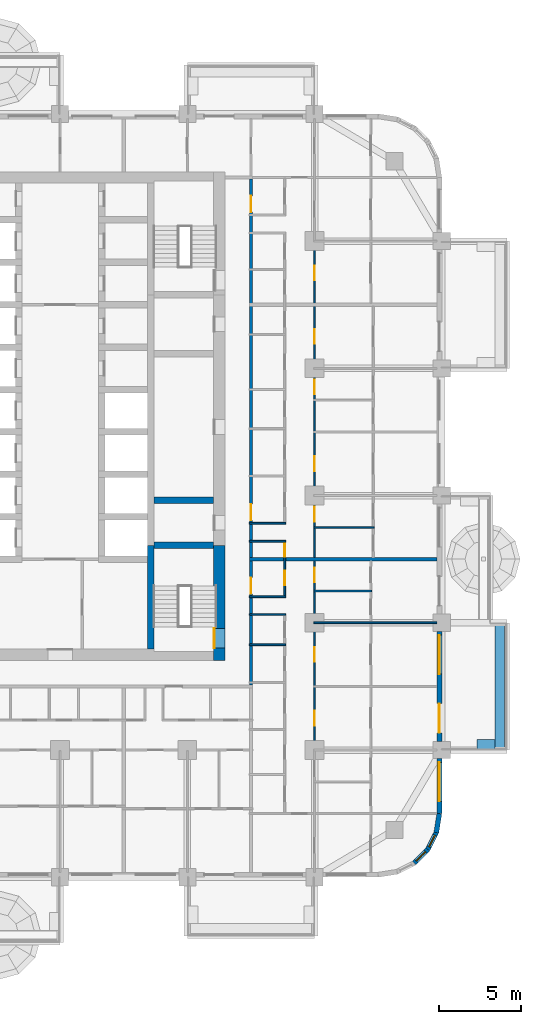
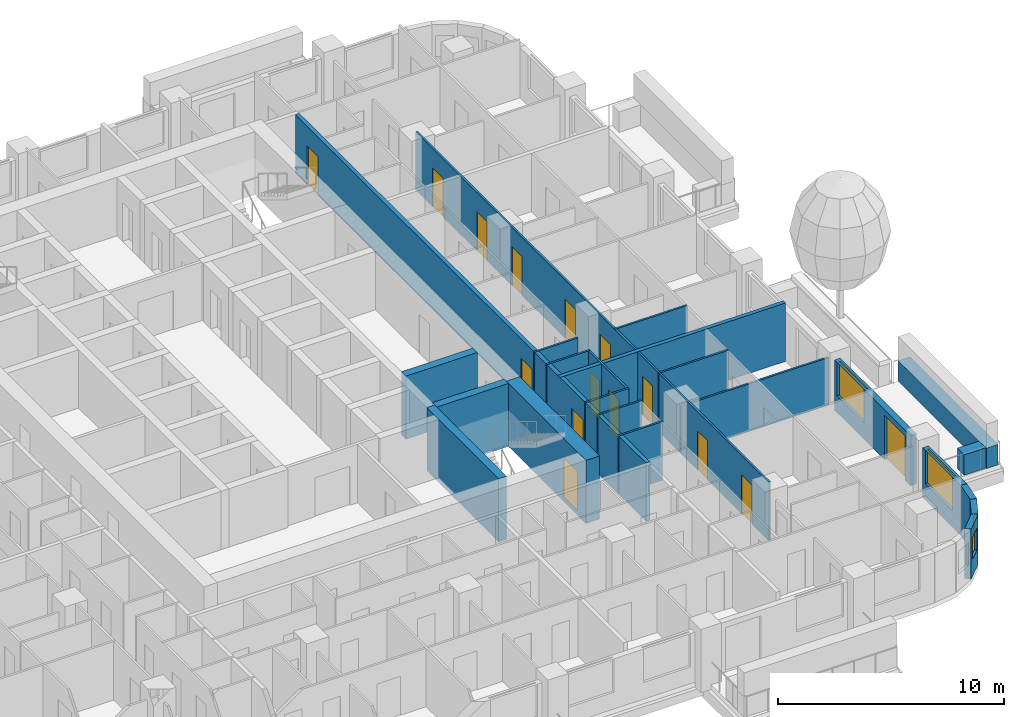
# One storey, part 8 of 18: 23 walls, 15 doors, 4 windows, 19 openings.
"""IFC4 building model written with IfcOpenShell, lengths in metres."""

import ifcopenshell
import ifcopenshell.guid

model = None  # the IFC model being written
_history = None  # IfcOwnerHistory: only IFC2X3 demands one
_inside = {}  # id of a spatial element -> (the spatial element, [elements in it])
_under = {}  # id of a project, library or spatial element -> (it, [spatial elements below it])
_declared = {}  # id of a project -> (the project, [libraries it declares])
_typed = {}  # id of a type object -> (the type object, [elements of that type])
_made_of = {}  # id of a material, layer set ... -> (it, [elements and type objects made of it])


def new_model(schema):
    """Start an empty IFC model of exactly this schema.

    Asked for "IFC4X3", IfcOpenShell would pick the latest addendum, in which some entities
    have other attributes; the version numbers below select the first issue.
    IFC2X3 requires an IfcOwnerHistory on every rooted entity: one is made here for all.
    """
    global model, _history
    if schema == "IFC4X3":
        model = ifcopenshell.file(schema_version=(4, 3, 0, 0))
    else:
        model = ifcopenshell.file(schema=schema)
    _inside.clear()
    _under.clear()
    _declared.clear()
    _typed.clear()
    _made_of.clear()
    _history = None
    if model.schema == "IFC2X3":
        org = make("IfcOrganization", Name="unknown")
        user = make(
            "IfcPersonAndOrganization",
            ThePerson=make("IfcPerson", FamilyName="unknown"),
            TheOrganization=org,
        )
        app = make(
            "IfcApplication",
            ApplicationDeveloper=org,
            Version="unknown",
            ApplicationFullName="unknown",
            ApplicationIdentifier="unknown",
        )
        _history = make(
            "IfcOwnerHistory",
            OwningUser=user,
            OwningApplication=app,
            ChangeAction="ADDED",
            CreationDate=0,
        )
    return model


def make(cls, **values):
    """One entity of the class cls with the attributes given. An attribute that is None is left unset."""
    return model.create_entity(
        cls, **{name: value for name, value in values.items() if value is not None}
    )


def rooted(cls, **values):
    """An entity with a GlobalId (a new one), such as an element, a storey or a relation."""
    return make(cls, GlobalId=ifcopenshell.guid.new(), OwnerHistory=_history, **values)


def si_unit(unit_type, name, prefix=None):
    """IfcSIUnit, for example si_unit("LENGTHUNIT", "METRE", prefix="MILLI")."""
    return make("IfcSIUnit", UnitType=unit_type, Prefix=prefix, Name=name)


def assignment(units):
    """IfcUnitAssignment: the units of a project."""
    return None if units is None else make("IfcUnitAssignment", Units=units)


def point(xyz):
    """IfcCartesianPoint."""
    return None if xyz is None else make("IfcCartesianPoint", Coordinates=xyz)


def direction(xyz):
    """IfcDirection."""
    return None if xyz is None else make("IfcDirection", DirectionRatios=xyz)


def frame(location, z_axis=None, x_axis=None):
    """IfcAxis2Placement3D, a coordinate frame: its origin and axes. An axis left out is left unset."""
    return make(
        "IfcAxis2Placement3D",
        Location=point(location),
        Axis=direction(z_axis),
        RefDirection=direction(x_axis),
    )


def frame_2d(location, x_axis=None):
    """IfcAxis2Placement2D, a coordinate frame in the plane: its origin and x axis."""
    return make(
        "IfcAxis2Placement2D", Location=point(location), RefDirection=direction(x_axis)
    )


def origin():
    """The frame at (0, 0, 0) with its axes left unset."""
    return frame((0.0, 0.0, 0.0))


def place(relative_to, where):
    """IfcLocalPlacement: puts the frame where relative to a parent placement (None: the world)."""
    return make(
        "IfcLocalPlacement", PlacementRelTo=relative_to, RelativePlacement=where
    )


def context(
    kind, dimensions, precision=None, world=None, true_north=None, identifier=None
):
    """IfcGeometricRepresentationContext, for example the 3D "Model" context."""
    return make(
        "IfcGeometricRepresentationContext",
        ContextIdentifier=identifier,
        ContextType=kind,
        CoordinateSpaceDimension=dimensions,
        Precision=precision,
        WorldCoordinateSystem=world,
        TrueNorth=true_north,
    )


def subcontext(parent, identifier, kind, view, scale=None):
    """IfcGeometricRepresentationSubContext, for example "Body" below "Model"."""
    return make(
        "IfcGeometricRepresentationSubContext",
        ContextIdentifier=identifier,
        ContextType=kind,
        ParentContext=parent,
        TargetScale=scale,
        TargetView=view,
    )


def project(units=None, contexts=None):
    """IfcProject with its units and contexts."""
    return rooted(
        "IfcProject",
        Name="project",
        RepresentationContexts=contexts,
        UnitsInContext=assignment(units),
    )


def spatial(cls, under=None, at=None, **own):
    """A site, building, storey or space (cls), placed at a placement, below another one or the project."""
    s = rooted(cls, ObjectPlacement=at, **own)
    if under is not None:
        _under.setdefault(under.id(), (under, []))[1].append(s)
    return s


def profile(cls, at=None, kind="AREA", **sizes):
    """A parametric profile (cls). Its sizes go by their IFC names, for example OverallWidth=200.0."""
    return make(cls, ProfileType=kind, Position=at, **sizes)


def rectangle(**sizes):
    """IfcRectangleProfileDef."""
    return profile("IfcRectangleProfileDef", **sizes)


def extrude(swept, where, along, depth):
    """IfcExtrudedAreaSolid: the profile swept, set in the frame where, extruded along a direction by depth."""
    return make(
        "IfcExtrudedAreaSolid",
        SweptArea=swept,
        Position=where,
        ExtrudedDirection=direction(along),
        Depth=depth,
    )


def shape(context_of_items, identifier, shape_type, items):
    """IfcShapeRepresentation: the items that make up one representation, for example the "Body"."""
    return make(
        "IfcShapeRepresentation",
        ContextOfItems=context_of_items,
        RepresentationIdentifier=identifier,
        RepresentationType=shape_type,
        Items=items,
    )


def material(Name=None, Category=None):
    """IfcMaterial."""
    return make("IfcMaterial", Name=Name, Category=Category)


def layer(
    of_material, thickness, ventilated=None, Name=None, Category=None, Priority=None
):
    """IfcMaterialLayer: one layer of a wall or slab, of a material (None: an air gap)."""
    return make(
        "IfcMaterialLayer",
        Material=of_material,
        LayerThickness=thickness,
        IsVentilated=ventilated,
        Name=Name,
        Category=Category,
        Priority=Priority,
    )


def layer_set(layers, Name=None):
    """IfcMaterialLayerSet."""
    return make("IfcMaterialLayerSet", MaterialLayers=layers, LayerSetName=Name)


def made_of(thing, what):
    """Note that an element or type object is made of a material, layer set ...; save() writes the relation."""
    if what is not None:
        _made_of.setdefault(what.id(), (what, []))[1].append(thing)
    return thing


def type_object(cls, material=None, **own):
    """A type object (cls), such as IfcWallType, which elements share."""
    return made_of(rooted(cls, **own), material)


def element(
    cls,
    number,
    at=None,
    inside=None,
    cuts=None,
    type_object=None,
    material=None,
    context=None,
    identifier="Body",
    shape_type=None,
    held_by="IfcProductDefinitionShape",
    body=None,
    shapes=None,
    **own,
):
    """One element of the class cls, such as IfcWall. Its Tag is "e" and its number.

    at: its placement. inside: the storey or other place that contains it. cuts: it is an
    opening in that element (IfcRelVoidsElement). A single representation is given by context,
    identifier, shape_type and body (its items); several are given by shapes. held_by: the class
    of the entity that holds the representations. save() writes the other relations.
    """
    e = rooted(cls, Tag="e%d" % number, ObjectPlacement=at, **own)
    if body is not None:
        shapes = [shape(context, identifier, shape_type, body)]
    if shapes is not None:
        e.Representation = make(held_by, Representations=shapes)
    if inside is not None:
        _inside.setdefault(inside.id(), (inside, []))[1].append(e)
    if cuts is not None:
        rooted(
            "IfcRelVoidsElement", RelatingBuildingElement=cuts, RelatedOpeningElement=e
        )
    if type_object is not None:
        _typed.setdefault(type_object.id(), (type_object, []))[1].append(e)
    return made_of(e, material)


def fill(opening, filler):
    """IfcRelFillsElement: the door or window that sits in an opening."""
    return rooted(
        "IfcRelFillsElement",
        RelatingOpeningElement=opening,
        RelatedBuildingElement=filler,
    )


def aggregate(whole, parts):
    """IfcRelAggregates: a whole, such as a stair, and the parts it consists of."""
    return rooted("IfcRelAggregates", RelatingObject=whole, RelatedObjects=parts)


def save(model, path):
    """Write the relations noted so far, then the file.

    IfcRelAggregates (storeys below a building ...), IfcRelContainedInSpatialStructure (elements
    in a storey), IfcRelDefinesByType, IfcRelAssociatesMaterial and IfcRelDeclares: one each for
    every whole, place, type object, material and project.
    """
    for whole, parts in _under.values():
        aggregate(whole, parts)
    for where, things in _inside.values():
        rooted(
            "IfcRelContainedInSpatialStructure",
            RelatedElements=things,
            RelatingStructure=where,
        )
    for kind, things in _typed.values():
        rooted("IfcRelDefinesByType", RelatedObjects=things, RelatingType=kind)
    for what, things in _made_of.values():
        rooted("IfcRelAssociatesMaterial", RelatedObjects=things, RelatingMaterial=what)
    for by, libraries in _declared.values():
        rooted("IfcRelDeclares", RelatingContext=by, RelatedDefinitions=libraries)
    model.write(path)


model = new_model("IFC4")

# Units and contexts
model_context = context("Model", 3, precision=1e-05, world=origin(), true_north=direction((0.0, 1.0)))
body_context = subcontext(model_context, "Body", "Model", "MODEL_VIEW")
ifc_project = project(units=[si_unit("LENGTHUNIT", "METRE"), si_unit("AREAUNIT", "SQUARE_METRE"), si_unit("VOLUMEUNIT", "CUBIC_METRE"), si_unit("PLANEANGLEUNIT", "RADIAN"), si_unit("MASSUNIT", "GRAM", prefix="KILO")], contexts=[model_context])

# Site, building, storey
site_placement = place(None, origin())
site = spatial("IfcSite", under=ifc_project, at=site_placement, CompositionType="ELEMENT")
building_placement = place(site_placement, origin())
building = spatial("IfcBuilding", under=site, at=building_placement, Name="Ludao Terraces", CompositionType="ELEMENT")
storey_placement = place(building_placement, frame((0.0, 0.0, 26.300048828125)))
storey = spatial("IfcBuildingStorey", under=building, at=storey_placement, Name="L06", CompositionType="ELEMENT", Elevation=26.300048828125)

# Wall, opening, door
ifc_material_1 = material(Name="Concrete C70", Category="concrete")
ifc_layer_1 = layer(ifc_material_1, 0.699951171875)
ifc_layer_set_1 = layer_set([ifc_layer_1], Name="Core wall 700 C70")
wall_type_1 = type_object("IfcWallType", Name="Core wall 700 C70", PredefinedType="SOLIDWALL", material=ifc_layer_set_1)
wall_1_placement = place(storey_placement, frame((94.75, 54.89990234375, -0.25), z_axis=(0.0, 0.0, 1.0), x_axis=(0.0, 1.0, 0.0)))
wall_1 = element("IfcWall", 1, at=wall_1_placement, inside=storey, type_object=wall_type_1, Name="Core wall L06 outer-E-S3", PredefinedType="SOLIDWALL", context=body_context, shape_type="SweptSolid", body=[
    extrude(rectangle(XDim=7.050048828125, YDim=0.699951171875, at=frame_2d((3.52490234375, 0.0))), origin(), (0.0, 0.0, 1.0), 3.39990234375),
])
opening_1_placement = place(wall_1_placement, frame((0.75, 0.0, 0.25)))
opening_1 = element("IfcOpeningElement", 2, at=opening_1_placement, cuts=wall_1, Name="Opening R01-057", PredefinedType="OPENING", context=body_context, shape_type="SweptSolid", body=[
    extrude(rectangle(XDim=1.199951171875, YDim=2.10009765625, at=frame_2d((0.60009765625, 1.050048828125))), frame((0.0, 0.35986328125, 0.0), z_axis=(0.0, -1.0, 0.0), x_axis=(1.0, 0.0, 0.0)), (0.0, 0.0, 1.0), 0.719970703125),
])
ifc_material_2 = material(Name="Steel Q235", Category="steel")
door_type_1 = type_object("IfcDoorType", Name="INT Stair door 1200", OperationType="DOUBLE_DOOR_SINGLE_SWING", PredefinedType="DOOR", material=ifc_material_2)
door_1_placement = place(opening_1_placement, origin())
door_1 = element("IfcDoor", 3, at=door_1_placement, inside=storey, type_object=door_type_1, Name="DOOR 057", OperationType="DOUBLE_DOOR_SINGLE_SWING", OverallHeight=2.10009765625, OverallWidth=1.199951171875, PredefinedType="DOOR", context=body_context, shape_type="SweptSolid", body=[
    extrude(rectangle(XDim=1.199951171875, YDim=2.10009765625, at=frame_2d((0.60009765625, 1.050048828125))), frame((0.0, 0.3349609375, 0.0), z_axis=(0.0, -1.0, 0.0), x_axis=(1.0, 0.0, 0.0)), (0.0, 0.0, 1.0), 0.050048828125),
])
fill(opening_1, door_1)

# Walls
ifc_material_3 = material(Name="Concrete C40", Category="concrete")
ifc_layer_2 = layer(ifc_material_3, 0.60009765625)
ifc_layer_set_2 = layer_set([ifc_layer_2], Name="ENV Planter trough 600")
wall_type_2 = type_object("IfcWallType", Name="ENV Planter trough 600", PredefinedType="USERDEFINED", material=ifc_layer_set_2)
wall_2_placement = place(storey_placement, frame((111.949951171875, 49.39990234375, 0.0), z_axis=(0.0, 0.0, 1.0), x_axis=(0.0, 1.0, 0.0)))
element("IfcWall", 4, at=wall_2_placement, inside=storey, type_object=wall_type_2, Name="PL-L06-E1", ObjectType="PLANTER", PredefinedType="USERDEFINED", context=body_context, shape_type="SweptSolid", body=[
    extrude(rectangle(XDim=7.800048828125, YDim=0.60009765625, at=frame_2d((3.89990234375, 0.0))), origin(), (0.0, 0.0, 1.0), 1.099853515625),
])
wall_3_placement = place(storey_placement, frame((111.64990234375, 49.75, 0.0), z_axis=(0.0, 0.0, 1.0), x_axis=(-1.0, 0.0, 0.0)))
element("IfcWall", 5, at=wall_3_placement, inside=storey, type_object=wall_type_2, Name="PL-L06-E1-SA", ObjectType="PLANTER", PredefinedType="USERDEFINED", context=body_context, shape_type="SweptSolid", body=[
    extrude(rectangle(XDim=1.099853515625, YDim=0.60009765625, at=frame_2d((0.5498046875, 0.0))), origin(), (0.0, 0.0, 1.0), 1.099853515625),
])

# Wall, opening, window
ifc_material_4 = material(Name="Granite cladding", Category="masonry")
ifc_layer_3 = layer(ifc_material_4, 0.0400390625, Category="stone")
ifc_material_5 = material(Name="Mineral wool")
ifc_layer_4 = layer(ifc_material_5, 0.06005859375)
ifc_layer_5 = layer(ifc_material_3, 0.199951171875, Category="concrete")
ifc_layer_set_3 = layer_set([ifc_layer_3, ifc_layer_4, ifc_layer_5], Name="ENV Stone-clad wall 300")
wall_type_3 = type_object("IfcWallType", Name="ENV Stone-clad wall 300", PredefinedType="SOLIDWALL", material=ifc_layer_set_3)
wall_4_placement = place(storey_placement, frame((108.25, 45.5, 0.0), z_axis=(0.0, 0.0, 1.0), x_axis=(0.0, 1.0, 0.0)))
wall_4 = element("IfcWall", 6, at=wall_4_placement, inside=storey, type_object=wall_type_3, Name="EW-L06-E1", PredefinedType="SOLIDWALL", context=body_context, shape_type="SweptSolid", body=[
    extrude(rectangle(XDim=3.375, YDim=0.300048828125, at=frame_2d((1.6875, 0.0))), origin(), (0.0, 0.0, 1.0), 2.699951171875),
])
opening_2_placement = place(wall_4_placement, frame((0.75, 0.0, 0.89990234375)))
opening_2 = element("IfcOpeningElement", 7, at=opening_2_placement, cuts=wall_4, Name="Opening W1", PredefinedType="OPENING", context=body_context, shape_type="SweptSolid", body=[
    extrude(rectangle(XDim=2.39990234375, YDim=1.800048828125, at=frame_2d((1.199951171875, 0.89990234375))), frame((0.0, 0.16015625, 0.0), z_axis=(0.0, -1.0, 0.0), x_axis=(1.0, 0.0, 0.0)), (0.0, 0.0, 1.0), 0.320068359375),
])
ifc_material_6 = material(Name="Clear glass in aluminium frame", Category="aluminium")
ifc_layer_6 = layer(ifc_material_6, 0.06005859375)
ifc_layer_set_4 = layer_set([ifc_layer_6], Name="ENV Window W1 2400x1800")
window_type_1 = type_object("IfcWindowType", Name="ENV Window W1 2400x1800", PartitioningType="DOUBLE_PANEL_VERTICAL", PredefinedType="WINDOW", material=ifc_layer_set_4)
window_1_placement = place(opening_2_placement, origin())
window_1 = element("IfcWindow", 8, at=window_1_placement, inside=storey, type_object=window_type_1, Name="W-L06-E1-1", OverallHeight=1.800048828125, OverallWidth=2.39990234375, PartitioningType="DOUBLE_PANEL_VERTICAL", PredefinedType="WINDOW", context=body_context, shape_type="SweptSolid", body=[
    extrude(rectangle(XDim=2.39990234375, YDim=1.800048828125, at=frame_2d((1.199951171875, 0.89990234375))), frame((0.0, 0.030029296875, 0.0), z_axis=(0.0, -1.0, 0.0), x_axis=(1.0, 0.0, 0.0)), (0.0, 0.0, 1.0), 0.06005859375),
])
fill(opening_2, window_1)

# Wall, openings, door, window
wall_5_placement = place(storey_placement, frame((108.25, 49.925048828125, 0.0), z_axis=(0.0, 0.0, 1.0), x_axis=(0.0, 1.0, 0.0)))
wall_5 = element("IfcWall", 9, at=wall_5_placement, inside=storey, type_object=wall_type_3, Name="EW-L06-E2", PredefinedType="SOLIDWALL", context=body_context, shape_type="SweptSolid", body=[
    extrude(rectangle(XDim=6.75, YDim=0.300048828125, at=frame_2d((3.375, 0.0))), origin(), (0.0, 0.0, 1.0), 2.699951171875),
])
opening_3_placement = place(wall_5_placement, frame((0.52490234375, 0.0, 0.0)))
opening_3 = element("IfcOpeningElement", 10, at=opening_3_placement, cuts=wall_5, Name="Opening BD", PredefinedType="OPENING", context=body_context, shape_type="SweptSolid", body=[
    extrude(rectangle(XDim=1.800048828125, YDim=2.39990234375, at=frame_2d((0.89990234375, 1.199951171875))), frame((0.0, 0.16015625, 0.0), z_axis=(0.0, -1.0, 0.0), x_axis=(1.0, 0.0, 0.0)), (0.0, 0.0, 1.0), 0.320068359375),
])
opening_4_placement = place(wall_5_placement, frame((4.125, 0.0, 0.89990234375)))
opening_4 = element("IfcOpeningElement", 11, at=opening_4_placement, cuts=wall_5, Name="Opening W1", PredefinedType="OPENING", context=body_context, shape_type="SweptSolid", body=[
    extrude(rectangle(XDim=2.39990234375, YDim=1.800048828125, at=frame_2d((1.199951171875, 0.89990234375))), frame((0.0, 0.16015625, 0.0), z_axis=(0.0, -1.0, 0.0), x_axis=(1.0, 0.0, 0.0)), (0.0, 0.0, 1.0), 0.320068359375),
])
ifc_material_7 = material(Name="Aluminium glazed door", Category="aluminium")
ifc_layer_7 = layer(ifc_material_7, 0.06005859375)
ifc_layer_set_5 = layer_set([ifc_layer_7], Name="ENV Balcony door BD 1800x2400")
door_type_2 = type_object("IfcDoorType", Name="ENV Balcony door BD 1800x2400", OperationType="DOUBLE_DOOR_SINGLE_SWING", PredefinedType="DOOR", material=ifc_layer_set_5)
door_2_placement = place(opening_3_placement, origin())
door_2 = element("IfcDoor", 12, at=door_2_placement, inside=storey, type_object=door_type_2, Name="BD-L06-E2-1", OperationType="DOUBLE_DOOR_SINGLE_SWING", OverallHeight=2.39990234375, OverallWidth=1.800048828125, PredefinedType="DOOR", context=body_context, shape_type="SweptSolid", body=[
    extrude(rectangle(XDim=1.800048828125, YDim=2.39990234375, at=frame_2d((0.89990234375, 1.199951171875))), frame((0.0, 0.02490234375, 0.0), z_axis=(0.0, -1.0, 0.0), x_axis=(1.0, 0.0, 0.0)), (0.0, 0.0, 1.0), 0.050048828125),
])
fill(opening_3, door_2)
window_2_placement = place(opening_4_placement, origin())
window_2 = element("IfcWindow", 13, at=window_2_placement, inside=storey, type_object=window_type_1, Name="W-L06-E2-2", OverallHeight=1.800048828125, OverallWidth=2.39990234375, PartitioningType="DOUBLE_PANEL_VERTICAL", PredefinedType="WINDOW", context=body_context, shape_type="SweptSolid", body=[
    extrude(rectangle(XDim=2.39990234375, YDim=1.800048828125, at=frame_2d((1.199951171875, 0.89990234375))), frame((0.0, 0.030029296875, 0.0), z_axis=(0.0, -1.0, 0.0), x_axis=(1.0, 0.0, 0.0)), (0.0, 0.0, 1.0), 0.06005859375),
])
fill(opening_4, window_2)

# Wall, opening, window
wall_6_placement = place(storey_placement, frame((106.7041015625, 42.46630859375, 0.0), z_axis=(0.0, 0.0, 1.0), x_axis=(0.707106781187, 0.707106781187, 0.0)))
wall_6 = element("IfcWall", 14, at=wall_6_placement, inside=storey, type_object=wall_type_3, Name="EW-L06-SE3", PredefinedType="SOLIDWALL", context=body_context, shape_type="SweptSolid", body=[
    extrude(rectangle(XDim=1.173095703125, YDim=0.300048828125, at=frame_2d((0.58642578125, 0.0))), origin(), (0.0, 0.0, 1.0), 2.699951171875),
])
opening_5_placement = place(wall_6_placement, frame((0.1865234375, 0.0, 0.89990234375)))
opening_5 = element("IfcOpeningElement", 15, at=opening_5_placement, cuts=wall_6, Name="Opening W3", PredefinedType="OPENING", context=body_context, shape_type="SweptSolid", body=[
    extrude(rectangle(XDim=0.800048828125, YDim=1.199951171875, at=frame_2d((0.39990234375, 0.60009765625))), frame((0.0, 0.16015625, 0.0), z_axis=(0.0, -1.0, 0.0), x_axis=(1.0, 0.0, 0.0)), (0.0, 0.0, 1.0), 0.320068359375),
])
ifc_layer_8 = layer(ifc_material_6, 0.06005859375)
ifc_layer_set_6 = layer_set([ifc_layer_8], Name="ENV Window W3 800x1200")
window_type_2 = type_object("IfcWindowType", Name="ENV Window W3 800x1200", PartitioningType="SINGLE_PANEL", PredefinedType="WINDOW", material=ifc_layer_set_6)
window_3_placement = place(opening_5_placement, origin())
window_3 = element("IfcWindow", 16, at=window_3_placement, inside=storey, type_object=window_type_2, Name="W-L06-SE3", OverallHeight=1.199951171875, OverallWidth=0.800048828125, PartitioningType="SINGLE_PANEL", PredefinedType="WINDOW", context=body_context, shape_type="SweptSolid", body=[
    extrude(rectangle(XDim=0.800048828125, YDim=1.199951171875, at=frame_2d((0.39990234375, 0.60009765625))), frame((0.0, 0.030029296875, 0.0), z_axis=(0.0, -1.0, 0.0), x_axis=(1.0, 0.0, 0.0)), (0.0, 0.0, 1.0), 0.06005859375),
])
fill(opening_5, window_3)

wall_7_placement = place(storey_placement, frame((107.53369140625, 43.2958984375, 0.0), z_axis=(0.0, 0.0, 1.0), x_axis=(0.454025524128, 0.890988677504, 0.0)))
wall_7 = element("IfcWall", 17, at=wall_7_placement, inside=storey, type_object=wall_type_3, Name="EW-L06-SE4", PredefinedType="SOLIDWALL", context=body_context, shape_type="SweptSolid", body=[
    extrude(rectangle(XDim=1.17333984375, YDim=0.300048828125, at=frame_2d((0.586669921875, 0.0))), origin(), (0.0, 0.0, 1.0), 2.699951171875),
])
opening_6_placement = place(wall_7_placement, frame((0.1865234375, 0.0, 0.89990234375)))
opening_6 = element("IfcOpeningElement", 18, at=opening_6_placement, cuts=wall_7, Name="Opening W3", PredefinedType="OPENING", context=body_context, shape_type="SweptSolid", body=[
    extrude(rectangle(XDim=0.800048828125, YDim=1.199951171875, at=frame_2d((0.39990234375, 0.60009765625))), frame((0.0, 0.16015625, 0.0), z_axis=(0.0, -1.0, 0.0), x_axis=(1.0, 0.0, 0.0)), (0.0, 0.0, 1.0), 0.320068359375),
])
window_4_placement = place(opening_6_placement, origin())
window_4 = element("IfcWindow", 19, at=window_4_placement, inside=storey, type_object=window_type_2, Name="W-L06-SE4", OverallHeight=1.199951171875, OverallWidth=0.800048828125, PartitioningType="SINGLE_PANEL", PredefinedType="WINDOW", context=body_context, shape_type="SweptSolid", body=[
    extrude(rectangle(XDim=0.800048828125, YDim=1.199951171875, at=frame_2d((0.39990234375, 0.60009765625))), frame((0.0, 0.030029296875, 0.0), z_axis=(0.0, -1.0, 0.0), x_axis=(1.0, 0.0, 0.0)), (0.0, 0.0, 1.0), 0.06005859375),
])
fill(opening_6, window_4)

# Wall
wall_8_placement = place(storey_placement, frame((108.06640625, 44.34130859375, 0.0), z_axis=(0.0, 0.0, 1.0), x_axis=(0.156496880861, 0.987678452879, 0.0)))
element("IfcWall", 20, at=wall_8_placement, inside=storey, type_object=wall_type_3, Name="EW-L06-SE5", PredefinedType="SOLIDWALL", context=body_context, shape_type="SweptSolid", body=[
    extrude(rectangle(XDim=1.173095703125, YDim=0.300048828125, at=frame_2d((0.58642578125, 0.0))), origin(), (0.0, 0.0, 1.0), 2.699951171875),
])

# Wall, openings, doors
ifc_material_8 = material(Name="Autoclaved aerated concrete block B06 A3.5", Category="concrete")
ifc_layer_9 = layer(ifc_material_8, 0.199951171875)
ifc_layer_set_7 = layer_set([ifc_layer_9], Name="INT Entrance wall 200")
wall_type_4 = type_object("IfcWallType", Name="INT Entrance wall 200", PredefinedType="PARTITIONING", material=ifc_layer_set_7)
wall_9_placement = place(storey_placement, frame((96.699951171875, 53.400146484375, 0.0), z_axis=(0.0, 0.0, 1.0), x_axis=(0.0, 1.0, 0.0)))
wall_9 = element("IfcWall", 21, at=wall_9_placement, inside=storey, type_object=wall_type_4, Name="PW-L06-PW110", PredefinedType="PARTITIONING", context=body_context, shape_type="SweptSolid", body=[
    extrude(rectangle(XDim=31.0, YDim=0.199951171875, at=frame_2d((15.5, 0.0))), origin(), (0.0, 0.0, 1.0), 3.14990234375),
])
opening_7_placement = place(wall_9_placement, frame((5.574951171875, 0.0, 0.0)))
opening_7 = element("IfcOpeningElement", 22, at=opening_7_placement, cuts=wall_9, Name="Opening R01-063", PredefinedType="OPENING", context=body_context, shape_type="SweptSolid", body=[
    extrude(rectangle(XDim=1.0, YDim=2.10009765625, at=frame_2d((0.5, 1.050048828125))), frame((0.0, 0.10986328125, 0.0), z_axis=(0.0, -1.0, 0.0), x_axis=(1.0, 0.0, 0.0)), (0.0, 0.0, 1.0), 0.219970703125),
])
opening_8_placement = place(wall_9_placement, frame((10.074951171875, 0.0, 0.0)))
opening_8 = element("IfcOpeningElement", 23, at=opening_8_placement, cuts=wall_9, Name="Opening R01-080", PredefinedType="OPENING", context=body_context, shape_type="SweptSolid", body=[
    extrude(rectangle(XDim=1.0, YDim=2.10009765625, at=frame_2d((0.5, 1.050048828125))), frame((0.0, 0.10986328125, 0.0), z_axis=(0.0, -1.0, 0.0), x_axis=(1.0, 0.0, 0.0)), (0.0, 0.0, 1.0), 0.219970703125),
])
opening_9_placement = place(wall_9_placement, frame((28.97509765625, 0.0, 0.0)))
opening_9 = element("IfcOpeningElement", 24, at=opening_9_placement, cuts=wall_9, Name="Opening R01-142", PredefinedType="OPENING", context=body_context, shape_type="SweptSolid", body=[
    extrude(rectangle(XDim=1.0, YDim=2.10009765625, at=frame_2d((0.5, 1.050048828125))), frame((0.0, 0.10986328125, 0.0), z_axis=(0.0, -1.0, 0.0), x_axis=(1.0, 0.0, 0.0)), (0.0, 0.0, 1.0), 0.219970703125),
])
door_type_3 = type_object("IfcDoorType", Name="INT Flat entrance door 1000", OperationType="SINGLE_SWING_LEFT", PredefinedType="DOOR", material=ifc_material_2)
door_3_placement = place(opening_7_placement, origin())
door_3 = element("IfcDoor", 25, at=door_3_placement, inside=storey, type_object=door_type_3, Name="DOOR 063", OperationType="SINGLE_SWING_LEFT", OverallHeight=2.10009765625, OverallWidth=1.0, PredefinedType="DOOR", context=body_context, shape_type="SweptSolid", body=[
    extrude(rectangle(XDim=1.0, YDim=2.10009765625, at=frame_2d((0.5, 1.050048828125))), frame((0.0, 0.02490234375, 0.0), z_axis=(0.0, -1.0, 0.0), x_axis=(1.0, 0.0, 0.0)), (0.0, 0.0, 1.0), 0.050048828125),
])
fill(opening_7, door_3)
door_4_placement = place(opening_8_placement, origin())
door_4 = element("IfcDoor", 26, at=door_4_placement, inside=storey, type_object=door_type_3, Name="DOOR 080", OperationType="SINGLE_SWING_LEFT", OverallHeight=2.10009765625, OverallWidth=1.0, PredefinedType="DOOR", context=body_context, shape_type="SweptSolid", body=[
    extrude(rectangle(XDim=1.0, YDim=2.10009765625, at=frame_2d((0.5, 1.050048828125))), frame((0.0, 0.02490234375, 0.0), z_axis=(0.0, -1.0, 0.0), x_axis=(1.0, 0.0, 0.0)), (0.0, 0.0, 1.0), 0.050048828125),
])
fill(opening_8, door_4)
door_5_placement = place(opening_9_placement, origin())
door_5 = element("IfcDoor", 27, at=door_5_placement, inside=storey, type_object=door_type_3, Name="DOOR 142", OperationType="SINGLE_SWING_LEFT", OverallHeight=2.10009765625, OverallWidth=1.0, PredefinedType="DOOR", context=body_context, shape_type="SweptSolid", body=[
    extrude(rectangle(XDim=1.0, YDim=2.10009765625, at=frame_2d((0.5, 1.050048828125))), frame((0.0, 0.02490234375, 0.0), z_axis=(0.0, -1.0, 0.0), x_axis=(1.0, 0.0, 0.0)), (0.0, 0.0, 1.0), 0.050048828125),
])
fill(opening_9, door_5)

# Walls
ifc_material_9 = material(Name="Gypsum plasterboard", Category="gypsum")
ifc_layer_10 = layer(ifc_material_9, 0.012451171875, Category="gypsum")
ifc_layer_11 = layer(ifc_material_5, 0.06005859375, Name="insulation")
ifc_layer_12 = layer(ifc_material_2, 0.014892578125, Name="stud")
ifc_layer_13 = layer(ifc_material_9, 0.012451171875, Category="gypsum")
ifc_layer_set_8 = layer_set([ifc_layer_10, ifc_layer_11, ifc_layer_12, ifc_layer_13], Name="INT Partition 100")
wall_type_5 = type_object("IfcWallType", Name="INT Partition 100", PredefinedType="PARTITIONING", material=ifc_layer_set_8)
wall_10_placement = place(storey_placement, frame((96.60009765625, 55.85009765625, 0.0), z_axis=(0.0, 0.0, 1.0), x_axis=(1.0, 0.0, 0.0)))
element("IfcWall", 28, at=wall_10_placement, inside=storey, type_object=wall_type_5, Name="PW-L06-PW023", PredefinedType="PARTITIONING", context=body_context, shape_type="SweptSolid", body=[
    extrude(rectangle(XDim=2.219970703125, YDim=0.10009765625, at=frame_2d((1.10986328125, 0.0))), origin(), (0.0, 0.0, 1.0), 3.14990234375),
])
wall_11_placement = place(storey_placement, frame((100.550048828125, 57.199951171875, 0.0), z_axis=(0.0, 0.0, 1.0), x_axis=(1.0, 0.0, 0.0)))
element("IfcWall", 29, at=wall_11_placement, inside=storey, type_object=wall_type_5, Name="PW-L06-PW025", PredefinedType="PARTITIONING", context=body_context, shape_type="SweptSolid", body=[
    extrude(rectangle(XDim=7.550048828125, YDim=0.10009765625, at=frame_2d((3.77490234375, 0.0))), origin(), (0.0, 0.0, 1.0), 2.5498046875),
])
for number, where, z_axis, x_axis, name in (
    (30, (96.60009765625, 57.699951171875, 0.0), (0.0, 0.0, 1.0), (1.0, 0.0, 0.0), "PW-L06-PW026"),
    (31, (96.60009765625, 58.800048828125, 0.0), (0.0, 0.0, 1.0), (1.0, 0.0, 0.0), "PW-L06-PW028"),
):
    element("IfcWall", number, at=place(storey_placement, frame(where, z_axis=z_axis, x_axis=x_axis)), inside=storey, type_object=wall_type_5, Name=name, PredefinedType="PARTITIONING", context=body_context, shape_type="SweptSolid", body=[
        extrude(rectangle(XDim=2.219970703125, YDim=0.10009765625, at=frame_2d((1.10986328125, 0.0))), origin(), (0.0, 0.0, 1.0), 3.14990234375),
    ])
wall_12_placement = place(storey_placement, frame((100.550048828125, 59.14990234375, 0.0), z_axis=(0.0, 0.0, 1.0), x_axis=(1.0, 0.0, 0.0)))
element("IfcWall", 32, at=wall_12_placement, inside=storey, type_object=wall_type_5, Name="PW-L06-PW030", PredefinedType="PARTITIONING", context=body_context, shape_type="SweptSolid", body=[
    extrude(rectangle(XDim=3.550048828125, YDim=0.10009765625, at=frame_2d((1.77490234375, 0.0))), origin(), (0.0, 0.0, 1.0), 3.14990234375),
])
wall_13_placement = place(storey_placement, frame((96.60009765625, 62.199951171875, 0.0), z_axis=(0.0, 0.0, 1.0), x_axis=(1.0, 0.0, 0.0)))
element("IfcWall", 33, at=wall_13_placement, inside=storey, type_object=wall_type_5, Name="PW-L06-PW034", PredefinedType="PARTITIONING", context=body_context, shape_type="SweptSolid", body=[
    extrude(rectangle(XDim=2.219970703125, YDim=0.10009765625, at=frame_2d((1.10986328125, 0.0))), origin(), (0.0, 0.0, 1.0), 3.14990234375),
])
wall_14_placement = place(storey_placement, frame((100.550048828125, 63.050048828125, 0.0), z_axis=(0.0, 0.0, 1.0), x_axis=(1.0, 0.0, 0.0)))
element("IfcWall", 34, at=wall_14_placement, inside=storey, type_object=wall_type_5, Name="PW-L06-PW036", PredefinedType="PARTITIONING", context=body_context, shape_type="SweptSolid", body=[
    extrude(rectangle(XDim=3.699951171875, YDim=0.10009765625, at=frame_2d((1.85009765625, 0.0))), origin(), (0.0, 0.0, 1.0), 3.14990234375),
])
wall_15_placement = place(storey_placement, frame((96.60009765625, 63.300048828125, 0.0), z_axis=(0.0, 0.0, 1.0), x_axis=(1.0, 0.0, 0.0)))
element("IfcWall", 35, at=wall_15_placement, inside=storey, type_object=wall_type_5, Name="PW-L06-PW037", PredefinedType="PARTITIONING", context=body_context, shape_type="SweptSolid", body=[
    extrude(rectangle(XDim=2.219970703125, YDim=0.10009765625, at=frame_2d((1.10986328125, 0.0))), origin(), (0.0, 0.0, 1.0), 3.14990234375),
])

# Wall, openings, doors
wall_16_placement = place(storey_placement, frame((98.77001953125, 58.85009765625, 0.0), z_axis=(0.0, 0.0, 1.0), x_axis=(0.0, 1.0, 0.0)))
wall_16 = element("IfcWall", 36, at=wall_16_placement, inside=storey, type_object=wall_type_5, Name="PW-L06-PW113", PredefinedType="PARTITIONING", context=body_context, shape_type="SweptSolid", body=[
    extrude(rectangle(XDim=3.300048828125, YDim=0.10009765625, at=frame_2d((1.64990234375, 0.0))), origin(), (0.0, 0.0, 1.0), 3.14990234375),
])
opening_10_placement = place(wall_16_placement, frame((0.64990234375, 0.0, 0.0)))
opening_10 = element("IfcOpeningElement", 37, at=opening_10_placement, cuts=wall_16, Name="Opening R01-065", PredefinedType="OPENING", context=body_context, shape_type="SweptSolid", body=[
    extrude(rectangle(XDim=0.89990234375, YDim=2.10009765625, at=frame_2d((0.449951171875, 1.050048828125))), frame((0.0, 0.06005859375, 0.0), z_axis=(0.0, -1.0, 0.0), x_axis=(1.0, 0.0, 0.0)), (0.0, 0.0, 1.0), 0.1201171875),
])
opening_11_placement = place(wall_16_placement, frame((2.39990234375, 0.0, 0.0)))
opening_11 = element("IfcOpeningElement", 38, at=opening_11_placement, cuts=wall_16, Name="Opening R01-071", PredefinedType="OPENING", context=body_context, shape_type="SweptSolid", body=[
    extrude(rectangle(XDim=0.800048828125, YDim=2.10009765625, at=frame_2d((0.39990234375, 1.050048828125))), frame((0.0, 0.06005859375, 0.0), z_axis=(0.0, -1.0, 0.0), x_axis=(1.0, 0.0, 0.0)), (0.0, 0.0, 1.0), 0.1201171875),
])
ifc_material_10 = material(Name="Timber door leaf", Category="wood")
door_type_4 = type_object("IfcDoorType", Name="INT Room door 900", OperationType="SINGLE_SWING_LEFT", PredefinedType="DOOR", material=ifc_material_10)
door_6_placement = place(opening_10_placement, origin())
door_6 = element("IfcDoor", 39, at=door_6_placement, inside=storey, type_object=door_type_4, Name="DOOR 065", OperationType="SINGLE_SWING_RIGHT", OverallHeight=2.10009765625, OverallWidth=0.89990234375, PredefinedType="DOOR", context=body_context, shape_type="SweptSolid", body=[
    extrude(rectangle(XDim=0.89990234375, YDim=2.10009765625, at=frame_2d((0.449951171875, 1.050048828125))), frame((0.0, 0.02490234375, 0.0), z_axis=(0.0, -1.0, 0.0), x_axis=(1.0, 0.0, 0.0)), (0.0, 0.0, 1.0), 0.050048828125),
])
fill(opening_10, door_6)
door_type_5 = type_object("IfcDoorType", Name="INT Store door 800", OperationType="SINGLE_SWING_LEFT", PredefinedType="DOOR", material=ifc_material_10)
door_7_placement = place(opening_11_placement, origin())
door_7 = element("IfcDoor", 40, at=door_7_placement, inside=storey, type_object=door_type_5, Name="DOOR 071", OperationType="SINGLE_SWING_LEFT", OverallHeight=2.10009765625, OverallWidth=0.800048828125, PredefinedType="DOOR", context=body_context, shape_type="SweptSolid", body=[
    extrude(rectangle(XDim=0.800048828125, YDim=2.10009765625, at=frame_2d((0.39990234375, 1.050048828125))), frame((0.0, 0.02490234375, 0.0), z_axis=(0.0, -1.0, 0.0), x_axis=(1.0, 0.0, 0.0)), (0.0, 0.0, 1.0), 0.050048828125),
])
fill(opening_11, door_7)

wall_17_placement = place(storey_placement, frame((100.60009765625, 49.39990234375, 0.0), z_axis=(0.0, 0.0, 1.0), x_axis=(0.0, 1.0, 0.0)))
wall_17 = element("IfcWall", 41, at=wall_17_placement, inside=storey, type_object=wall_type_5, Name="PW-L06-PW116-2", PredefinedType="PARTITIONING", context=body_context, shape_type="SweptSolid", body=[
    extrude(rectangle(XDim=31.2001953125, YDim=0.10009765625, at=frame_2d((15.60009765625, 0.0))), origin(), (0.0, 0.0, 1.0), 3.14990234375),
])
opening_12_placement = place(wall_17_placement, frame((1.500244140625, 0.0, 0.0)))
opening_12 = element("IfcOpeningElement", 42, at=opening_12_placement, cuts=wall_17, Name="Opening R01-043", PredefinedType="OPENING", context=body_context, shape_type="SweptSolid", body=[
    extrude(rectangle(XDim=0.89990234375, YDim=2.10009765625, at=frame_2d((0.449951171875, 1.050048828125))), frame((0.0, 0.06005859375, 0.0), z_axis=(0.0, -1.0, 0.0), x_axis=(1.0, 0.0, 0.0)), (0.0, 0.0, 1.0), 0.1201171875),
])
opening_13_placement = place(wall_17_placement, frame((5.400146484375, 0.0, 0.0)))
opening_13 = element("IfcOpeningElement", 43, at=opening_13_placement, cuts=wall_17, Name="Opening R01-052", PredefinedType="OPENING", context=body_context, shape_type="SweptSolid", body=[
    extrude(rectangle(XDim=0.89990234375, YDim=2.10009765625, at=frame_2d((0.449951171875, 1.050048828125))), frame((0.0, 0.06005859375, 0.0), z_axis=(0.0, -1.0, 0.0), x_axis=(1.0, 0.0, 0.0)), (0.0, 0.0, 1.0), 0.1201171875),
])
opening_14_placement = place(wall_17_placement, frame((10.275146484375, 0.0, 0.0)))
opening_14 = element("IfcOpeningElement", 44, at=opening_14_placement, cuts=wall_17, Name="Opening R01-068", PredefinedType="OPENING", context=body_context, shape_type="SweptSolid", body=[
    extrude(rectangle(XDim=0.89990234375, YDim=2.10009765625, at=frame_2d((0.449951171875, 1.050048828125))), frame((0.0, 0.06005859375, 0.0), z_axis=(0.0, -1.0, 0.0), x_axis=(1.0, 0.0, 0.0)), (0.0, 0.0, 1.0), 0.1201171875),
])
opening_15_placement = place(wall_17_placement, frame((14.000244140625, 0.0, 0.0)))
opening_15 = element("IfcOpeningElement", 45, at=opening_15_placement, cuts=wall_17, Name="Opening R01-079", PredefinedType="OPENING", context=body_context, shape_type="SweptSolid", body=[
    extrude(rectangle(XDim=0.89990234375, YDim=2.10009765625, at=frame_2d((0.449951171875, 1.050048828125))), frame((0.0, 0.06005859375, 0.0), z_axis=(0.0, -1.0, 0.0), x_axis=(1.0, 0.0, 0.0)), (0.0, 0.0, 1.0), 0.1201171875),
])
opening_16_placement = place(wall_17_placement, frame((17.10009765625, 0.0, 0.0)))
opening_16 = element("IfcOpeningElement", 46, at=opening_16_placement, cuts=wall_17, Name="Opening R01-088", PredefinedType="OPENING", context=body_context, shape_type="SweptSolid", body=[
    extrude(rectangle(XDim=0.89990234375, YDim=2.10009765625, at=frame_2d((0.449951171875, 1.050048828125))), frame((0.0, 0.06005859375, 0.0), z_axis=(0.0, -1.0, 0.0), x_axis=(1.0, 0.0, 0.0)), (0.0, 0.0, 1.0), 0.1201171875),
])
opening_17_placement = place(wall_17_placement, frame((21.80029296875, 0.0, 0.0)))
opening_17 = element("IfcOpeningElement", 47, at=opening_17_placement, cuts=wall_17, Name="Opening R01-103", PredefinedType="OPENING", context=body_context, shape_type="SweptSolid", body=[
    extrude(rectangle(XDim=0.89990234375, YDim=2.10009765625, at=frame_2d((0.449951171875, 1.050048828125))), frame((0.0, 0.06005859375, 0.0), z_axis=(0.0, -1.0, 0.0), x_axis=(1.0, 0.0, 0.0)), (0.0, 0.0, 1.0), 0.1201171875),
])
opening_18_placement = place(wall_17_placement, frame((24.900146484375, 0.0, 0.0)))
opening_18 = element("IfcOpeningElement", 48, at=opening_18_placement, cuts=wall_17, Name="Opening R01-113", PredefinedType="OPENING", context=body_context, shape_type="SweptSolid", body=[
    extrude(rectangle(XDim=0.89990234375, YDim=2.10009765625, at=frame_2d((0.449951171875, 1.050048828125))), frame((0.0, 0.06005859375, 0.0), z_axis=(0.0, -1.0, 0.0), x_axis=(1.0, 0.0, 0.0)), (0.0, 0.0, 1.0), 0.1201171875),
])
opening_19_placement = place(wall_17_placement, frame((28.80029296875, 0.0, 0.0)))
opening_19 = element("IfcOpeningElement", 49, at=opening_19_placement, cuts=wall_17, Name="Opening R01-129", PredefinedType="OPENING", context=body_context, shape_type="SweptSolid", body=[
    extrude(rectangle(XDim=0.89990234375, YDim=2.10009765625, at=frame_2d((0.449951171875, 1.050048828125))), frame((0.0, 0.06005859375, 0.0), z_axis=(0.0, -1.0, 0.0), x_axis=(1.0, 0.0, 0.0)), (0.0, 0.0, 1.0), 0.1201171875),
])
door_8_placement = place(opening_12_placement, origin())
door_8 = element("IfcDoor", 50, at=door_8_placement, inside=storey, type_object=door_type_4, Name="DOOR 043", OperationType="SINGLE_SWING_LEFT", OverallHeight=2.10009765625, OverallWidth=0.89990234375, PredefinedType="DOOR", context=body_context, shape_type="SweptSolid", body=[
    extrude(rectangle(XDim=0.89990234375, YDim=2.10009765625, at=frame_2d((0.449951171875, 1.050048828125))), frame((0.0, 0.02490234375, 0.0), z_axis=(0.0, -1.0, 0.0), x_axis=(1.0, 0.0, 0.0)), (0.0, 0.0, 1.0), 0.050048828125),
])
fill(opening_12, door_8)
door_9_placement = place(opening_13_placement, origin())
door_9 = element("IfcDoor", 51, at=door_9_placement, inside=storey, type_object=door_type_4, Name="DOOR 052", OperationType="SINGLE_SWING_RIGHT", OverallHeight=2.10009765625, OverallWidth=0.89990234375, PredefinedType="DOOR", context=body_context, shape_type="SweptSolid", body=[
    extrude(rectangle(XDim=0.89990234375, YDim=2.10009765625, at=frame_2d((0.449951171875, 1.050048828125))), frame((0.0, 0.02490234375, 0.0), z_axis=(0.0, -1.0, 0.0), x_axis=(1.0, 0.0, 0.0)), (0.0, 0.0, 1.0), 0.050048828125),
])
fill(opening_13, door_9)
door_10_placement = place(opening_14_placement, origin())
door_10 = element("IfcDoor", 52, at=door_10_placement, inside=storey, type_object=door_type_4, Name="DOOR 068", OperationType="SINGLE_SWING_RIGHT", OverallHeight=2.10009765625, OverallWidth=0.89990234375, PredefinedType="DOOR", context=body_context, shape_type="SweptSolid", body=[
    extrude(rectangle(XDim=0.89990234375, YDim=2.10009765625, at=frame_2d((0.449951171875, 1.050048828125))), frame((0.0, 0.02490234375, 0.0), z_axis=(0.0, -1.0, 0.0), x_axis=(1.0, 0.0, 0.0)), (0.0, 0.0, 1.0), 0.050048828125),
])
fill(opening_14, door_10)
door_11_placement = place(opening_15_placement, origin())
door_11 = element("IfcDoor", 53, at=door_11_placement, inside=storey, type_object=door_type_4, Name="DOOR 079", OperationType="SINGLE_SWING_RIGHT", OverallHeight=2.10009765625, OverallWidth=0.89990234375, PredefinedType="DOOR", context=body_context, shape_type="SweptSolid", body=[
    extrude(rectangle(XDim=0.89990234375, YDim=2.10009765625, at=frame_2d((0.449951171875, 1.050048828125))), frame((0.0, 0.02490234375, 0.0), z_axis=(0.0, -1.0, 0.0), x_axis=(1.0, 0.0, 0.0)), (0.0, 0.0, 1.0), 0.050048828125),
])
fill(opening_15, door_11)
door_12_placement = place(opening_16_placement, origin())
door_12 = element("IfcDoor", 54, at=door_12_placement, inside=storey, type_object=door_type_4, Name="DOOR 088", OperationType="SINGLE_SWING_RIGHT", OverallHeight=2.10009765625, OverallWidth=0.89990234375, PredefinedType="DOOR", context=body_context, shape_type="SweptSolid", body=[
    extrude(rectangle(XDim=0.89990234375, YDim=2.10009765625, at=frame_2d((0.449951171875, 1.050048828125))), frame((0.0, 0.02490234375, 0.0), z_axis=(0.0, -1.0, 0.0), x_axis=(1.0, 0.0, 0.0)), (0.0, 0.0, 1.0), 0.050048828125),
])
fill(opening_16, door_12)
door_13_placement = place(opening_17_placement, origin())
door_13 = element("IfcDoor", 55, at=door_13_placement, inside=storey, type_object=door_type_4, Name="DOOR 103", OperationType="SINGLE_SWING_RIGHT", OverallHeight=2.10009765625, OverallWidth=0.89990234375, PredefinedType="DOOR", context=body_context, shape_type="SweptSolid", body=[
    extrude(rectangle(XDim=0.89990234375, YDim=2.10009765625, at=frame_2d((0.449951171875, 1.050048828125))), frame((0.0, 0.02490234375, 0.0), z_axis=(0.0, -1.0, 0.0), x_axis=(1.0, 0.0, 0.0)), (0.0, 0.0, 1.0), 0.050048828125),
])
fill(opening_17, door_13)
door_14_placement = place(opening_18_placement, origin())
door_14 = element("IfcDoor", 56, at=door_14_placement, inside=storey, type_object=door_type_4, Name="DOOR 113", OperationType="SINGLE_SWING_RIGHT", OverallHeight=2.10009765625, OverallWidth=0.89990234375, PredefinedType="DOOR", context=body_context, shape_type="SweptSolid", body=[
    extrude(rectangle(XDim=0.89990234375, YDim=2.10009765625, at=frame_2d((0.449951171875, 1.050048828125))), frame((0.0, 0.02490234375, 0.0), z_axis=(0.0, -1.0, 0.0), x_axis=(1.0, 0.0, 0.0)), (0.0, 0.0, 1.0), 0.050048828125),
])
fill(opening_18, door_14)
door_15_placement = place(opening_19_placement, origin())
door_15 = element("IfcDoor", 57, at=door_15_placement, inside=storey, type_object=door_type_4, Name="DOOR 129", OperationType="SINGLE_SWING_RIGHT", OverallHeight=2.10009765625, OverallWidth=0.89990234375, PredefinedType="DOOR", context=body_context, shape_type="SweptSolid", body=[
    extrude(rectangle(XDim=0.89990234375, YDim=2.10009765625, at=frame_2d((0.449951171875, 1.050048828125))), frame((0.0, 0.02490234375, 0.0), z_axis=(0.0, -1.0, 0.0), x_axis=(1.0, 0.0, 0.0)), (0.0, 0.0, 1.0), 0.050048828125),
])
fill(opening_19, door_15)

# Walls
ifc_layer_14 = layer(ifc_material_8, 0.199951171875)
ifc_layer_set_9 = layer_set([ifc_layer_14], Name="INT Party wall 200")
wall_type_6 = type_object("IfcWallType", Name="INT Party wall 200", PredefinedType="PARTITIONING", material=ifc_layer_set_9)
wall_18_placement = place(storey_placement, frame((96.60009765625, 61.10009765625, 0.0), z_axis=(0.0, 0.0, 1.0), x_axis=(1.0, 0.0, 0.0)))
element("IfcWall", 58, at=wall_18_placement, inside=storey, type_object=wall_type_6, Name="PW-L06-PW033", PredefinedType="PARTITIONING", context=body_context, shape_type="SweptSolid", body=[
    extrude(rectangle(XDim=11.5, YDim=0.199951171875, at=frame_2d((5.75, 0.0))), origin(), (0.0, 0.0, 1.0), 3.14990234375),
])
ifc_material_11 = material(Name="Concrete C60", Category="concrete")
ifc_layer_15 = layer(ifc_material_11, 0.39990234375)
ifc_layer_set_10 = layer_set([ifc_layer_15], Name="Shaft wall 400 C60")
wall_type_7 = type_object("IfcWallType", Name="Shaft wall 400 C60", PredefinedType="SOLIDWALL", material=ifc_layer_set_10)
wall_19_placement = place(storey_placement, frame((90.550048828125, 55.60009765625, -0.25), z_axis=(0.0, 0.0, 1.0), x_axis=(0.0, 1.0, 0.0)))
element("IfcWall", 59, at=wall_19_placement, inside=storey, type_object=wall_type_7, Name="Core wall L06 back-E-S3", PredefinedType="SOLIDWALL", context=body_context, shape_type="SweptSolid", body=[
    extrude(rectangle(XDim=6.349853515625, YDim=0.39990234375, at=frame_2d((3.1748046875, 0.0))), origin(), (0.0, 0.0, 1.0), 3.39990234375),
])
for number, where, z_axis, x_axis, name in (
    (60, (90.75, 61.949951171875, -0.25), (0.0, 0.0, 1.0), (1.0, 0.0, 0.0), "Core wall L06 hall-E"),
    (61, (90.75, 64.699951171875, -0.25), (0.0, 0.0, 1.0), (1.0, 0.0, 0.0), "Core wall L06 riser-a-E"),
):
    element("IfcWall", number, at=place(storey_placement, frame(where, z_axis=z_axis, x_axis=x_axis)), inside=storey, type_object=wall_type_7, Name=name, PredefinedType="SOLIDWALL", context=body_context, shape_type="SweptSolid", body=[
        extrude(rectangle(XDim=3.64990234375, YDim=0.39990234375, at=frame_2d((1.824951171875, 0.0))), origin(), (0.0, 0.0, 1.0), 3.39990234375),
    ])

save(model, "model.ifc")
